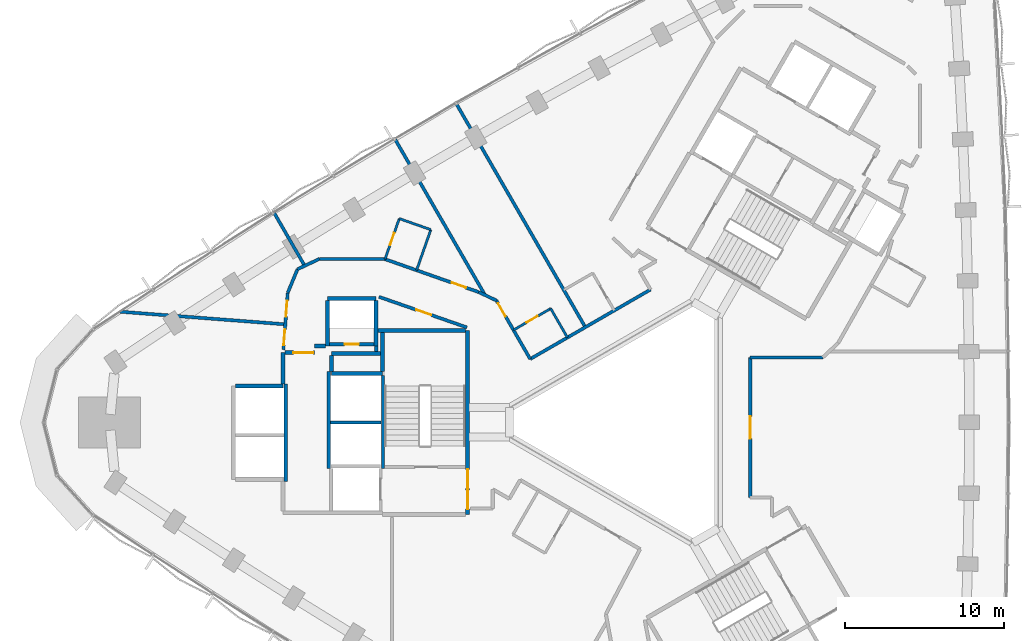
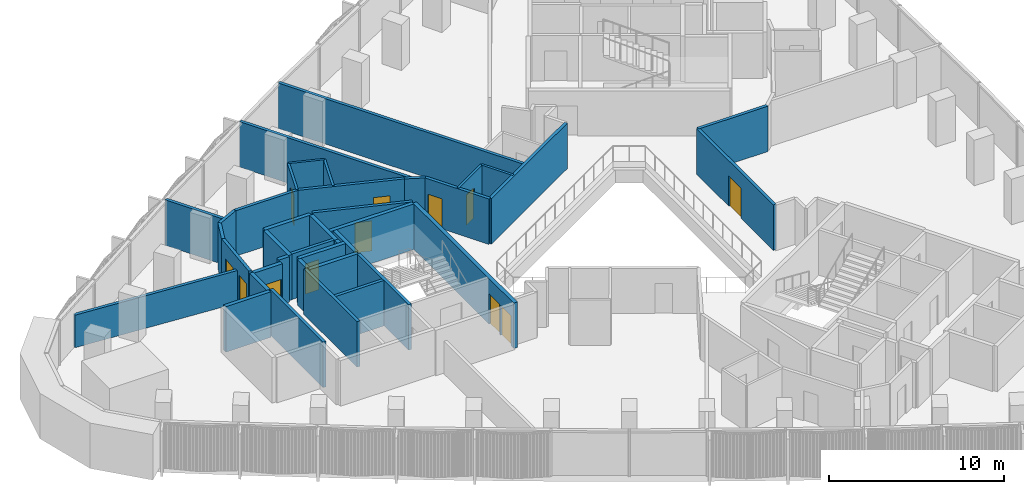
# One storey, part 9 of 15: 39 walls, 12 doors, 12 openings.
"""IFC4 building model written with IfcOpenShell, lengths in metres."""

import ifcopenshell
import ifcopenshell.guid

model = None  # the IFC model being written
_history = None  # IfcOwnerHistory: only IFC2X3 demands one
_inside = {}  # id of a spatial element -> (the spatial element, [elements in it])
_under = {}  # id of a project, library or spatial element -> (it, [spatial elements below it])
_declared = {}  # id of a project -> (the project, [libraries it declares])
_typed = {}  # id of a type object -> (the type object, [elements of that type])
_made_of = {}  # id of a material, layer set ... -> (it, [elements and type objects made of it])


def new_model(schema):
    """Start an empty IFC model of exactly this schema.

    Asked for "IFC4X3", IfcOpenShell would pick the latest addendum, in which some entities
    have other attributes; the version numbers below select the first issue.
    IFC2X3 requires an IfcOwnerHistory on every rooted entity: one is made here for all.
    """
    global model, _history
    if schema == "IFC4X3":
        model = ifcopenshell.file(schema_version=(4, 3, 0, 0))
    else:
        model = ifcopenshell.file(schema=schema)
    _inside.clear()
    _under.clear()
    _declared.clear()
    _typed.clear()
    _made_of.clear()
    _history = None
    if model.schema == "IFC2X3":
        org = make("IfcOrganization", Name="unknown")
        user = make(
            "IfcPersonAndOrganization",
            ThePerson=make("IfcPerson", FamilyName="unknown"),
            TheOrganization=org,
        )
        app = make(
            "IfcApplication",
            ApplicationDeveloper=org,
            Version="unknown",
            ApplicationFullName="unknown",
            ApplicationIdentifier="unknown",
        )
        _history = make(
            "IfcOwnerHistory",
            OwningUser=user,
            OwningApplication=app,
            ChangeAction="ADDED",
            CreationDate=0,
        )
    return model


def make(cls, **values):
    """One entity of the class cls with the attributes given. An attribute that is None is left unset."""
    return model.create_entity(
        cls, **{name: value for name, value in values.items() if value is not None}
    )


def rooted(cls, **values):
    """An entity with a GlobalId (a new one), such as an element, a storey or a relation."""
    return make(cls, GlobalId=ifcopenshell.guid.new(), OwnerHistory=_history, **values)


def si_unit(unit_type, name, prefix=None):
    """IfcSIUnit, for example si_unit("LENGTHUNIT", "METRE", prefix="MILLI")."""
    return make("IfcSIUnit", UnitType=unit_type, Prefix=prefix, Name=name)


def assignment(units):
    """IfcUnitAssignment: the units of a project."""
    return None if units is None else make("IfcUnitAssignment", Units=units)


def point(xyz):
    """IfcCartesianPoint."""
    return None if xyz is None else make("IfcCartesianPoint", Coordinates=xyz)


def direction(xyz):
    """IfcDirection."""
    return None if xyz is None else make("IfcDirection", DirectionRatios=xyz)


def frame(location, z_axis=None, x_axis=None):
    """IfcAxis2Placement3D, a coordinate frame: its origin and axes. An axis left out is left unset."""
    return make(
        "IfcAxis2Placement3D",
        Location=point(location),
        Axis=direction(z_axis),
        RefDirection=direction(x_axis),
    )


def frame_2d(location, x_axis=None):
    """IfcAxis2Placement2D, a coordinate frame in the plane: its origin and x axis."""
    return make(
        "IfcAxis2Placement2D", Location=point(location), RefDirection=direction(x_axis)
    )


def origin():
    """The frame at (0, 0, 0) with its axes left unset."""
    return frame((0.0, 0.0, 0.0))


def place(relative_to, where):
    """IfcLocalPlacement: puts the frame where relative to a parent placement (None: the world)."""
    return make(
        "IfcLocalPlacement", PlacementRelTo=relative_to, RelativePlacement=where
    )


def context(
    kind, dimensions, precision=None, world=None, true_north=None, identifier=None
):
    """IfcGeometricRepresentationContext, for example the 3D "Model" context."""
    return make(
        "IfcGeometricRepresentationContext",
        ContextIdentifier=identifier,
        ContextType=kind,
        CoordinateSpaceDimension=dimensions,
        Precision=precision,
        WorldCoordinateSystem=world,
        TrueNorth=true_north,
    )


def subcontext(parent, identifier, kind, view, scale=None):
    """IfcGeometricRepresentationSubContext, for example "Body" below "Model"."""
    return make(
        "IfcGeometricRepresentationSubContext",
        ContextIdentifier=identifier,
        ContextType=kind,
        ParentContext=parent,
        TargetScale=scale,
        TargetView=view,
    )


def project(units=None, contexts=None):
    """IfcProject with its units and contexts."""
    return rooted(
        "IfcProject",
        Name="project",
        RepresentationContexts=contexts,
        UnitsInContext=assignment(units),
    )


def spatial(cls, under=None, at=None, **own):
    """A site, building, storey or space (cls), placed at a placement, below another one or the project."""
    s = rooted(cls, ObjectPlacement=at, **own)
    if under is not None:
        _under.setdefault(under.id(), (under, []))[1].append(s)
    return s


def profile(cls, at=None, kind="AREA", **sizes):
    """A parametric profile (cls). Its sizes go by their IFC names, for example OverallWidth=200.0."""
    return make(cls, ProfileType=kind, Position=at, **sizes)


def rectangle(**sizes):
    """IfcRectangleProfileDef."""
    return profile("IfcRectangleProfileDef", **sizes)


def extrude(swept, where, along, depth):
    """IfcExtrudedAreaSolid: the profile swept, set in the frame where, extruded along a direction by depth."""
    return make(
        "IfcExtrudedAreaSolid",
        SweptArea=swept,
        Position=where,
        ExtrudedDirection=direction(along),
        Depth=depth,
    )


def shape(context_of_items, identifier, shape_type, items):
    """IfcShapeRepresentation: the items that make up one representation, for example the "Body"."""
    return make(
        "IfcShapeRepresentation",
        ContextOfItems=context_of_items,
        RepresentationIdentifier=identifier,
        RepresentationType=shape_type,
        Items=items,
    )


def material(Name=None, Category=None):
    """IfcMaterial."""
    return make("IfcMaterial", Name=Name, Category=Category)


def layer(
    of_material, thickness, ventilated=None, Name=None, Category=None, Priority=None
):
    """IfcMaterialLayer: one layer of a wall or slab, of a material (None: an air gap)."""
    return make(
        "IfcMaterialLayer",
        Material=of_material,
        LayerThickness=thickness,
        IsVentilated=ventilated,
        Name=Name,
        Category=Category,
        Priority=Priority,
    )


def layer_set(layers, Name=None):
    """IfcMaterialLayerSet."""
    return make("IfcMaterialLayerSet", MaterialLayers=layers, LayerSetName=Name)


def made_of(thing, what):
    """Note that an element or type object is made of a material, layer set ...; save() writes the relation."""
    if what is not None:
        _made_of.setdefault(what.id(), (what, []))[1].append(thing)
    return thing


def type_object(cls, material=None, **own):
    """A type object (cls), such as IfcWallType, which elements share."""
    return made_of(rooted(cls, **own), material)


def element(
    cls,
    number,
    at=None,
    inside=None,
    cuts=None,
    type_object=None,
    material=None,
    context=None,
    identifier="Body",
    shape_type=None,
    held_by="IfcProductDefinitionShape",
    body=None,
    shapes=None,
    **own,
):
    """One element of the class cls, such as IfcWall. Its Tag is "e" and its number.

    at: its placement. inside: the storey or other place that contains it. cuts: it is an
    opening in that element (IfcRelVoidsElement). A single representation is given by context,
    identifier, shape_type and body (its items); several are given by shapes. held_by: the class
    of the entity that holds the representations. save() writes the other relations.
    """
    e = rooted(cls, Tag="e%d" % number, ObjectPlacement=at, **own)
    if body is not None:
        shapes = [shape(context, identifier, shape_type, body)]
    if shapes is not None:
        e.Representation = make(held_by, Representations=shapes)
    if inside is not None:
        _inside.setdefault(inside.id(), (inside, []))[1].append(e)
    if cuts is not None:
        rooted(
            "IfcRelVoidsElement", RelatingBuildingElement=cuts, RelatedOpeningElement=e
        )
    if type_object is not None:
        _typed.setdefault(type_object.id(), (type_object, []))[1].append(e)
    return made_of(e, material)


def fill(opening, filler):
    """IfcRelFillsElement: the door or window that sits in an opening."""
    return rooted(
        "IfcRelFillsElement",
        RelatingOpeningElement=opening,
        RelatedBuildingElement=filler,
    )


def aggregate(whole, parts):
    """IfcRelAggregates: a whole, such as a stair, and the parts it consists of."""
    return rooted("IfcRelAggregates", RelatingObject=whole, RelatedObjects=parts)


def save(model, path):
    """Write the relations noted so far, then the file.

    IfcRelAggregates (storeys below a building ...), IfcRelContainedInSpatialStructure (elements
    in a storey), IfcRelDefinesByType, IfcRelAssociatesMaterial and IfcRelDeclares: one each for
    every whole, place, type object, material and project.
    """
    for whole, parts in _under.values():
        aggregate(whole, parts)
    for where, things in _inside.values():
        rooted(
            "IfcRelContainedInSpatialStructure",
            RelatedElements=things,
            RelatingStructure=where,
        )
    for kind, things in _typed.values():
        rooted("IfcRelDefinesByType", RelatedObjects=things, RelatingType=kind)
    for what, things in _made_of.values():
        rooted("IfcRelAssociatesMaterial", RelatedObjects=things, RelatingMaterial=what)
    for by, libraries in _declared.values():
        rooted("IfcRelDeclares", RelatingContext=by, RelatedDefinitions=libraries)
    model.write(path)


model = new_model("IFC4")

# Units and contexts
model_context = context("Model", 3, precision=1e-05, world=origin(), true_north=direction((0.0, 1.0)))
body_context = subcontext(model_context, "Body", "Model", "MODEL_VIEW")
ifc_project = project(units=[si_unit("LENGTHUNIT", "METRE"), si_unit("AREAUNIT", "SQUARE_METRE"), si_unit("VOLUMEUNIT", "CUBIC_METRE"), si_unit("PLANEANGLEUNIT", "RADIAN"), si_unit("MASSUNIT", "GRAM", prefix="KILO")], contexts=[model_context])

# Site, building, storey
site_placement = place(None, origin())
site = spatial("IfcSite", under=ifc_project, at=site_placement, CompositionType="ELEMENT")
building_placement = place(site_placement, origin())
building = spatial("IfcBuilding", under=site, at=building_placement, Name="Tamra Quay Hotel Tower", CompositionType="ELEMENT")
storey_placement = place(building_placement, frame((0.0, 0.0, 108.199951171875)))
storey = spatial("IfcBuildingStorey", under=building, at=storey_placement, Name="L26", CompositionType="ELEMENT", Elevation=108.199951171875)

# Walls
ifc_material_1 = material(Name="Concrete M70", Category="concrete")
ifc_layer_1 = layer(ifc_material_1, 0.199951171875)
ifc_layer_set_1 = layer_set([ifc_layer_1], Name="Concrete M70 core wall 200")
wall_type_1 = type_object("IfcWallType", Name="Concrete M70 core wall 200", PredefinedType="SHEAR", material=ifc_layer_set_1)
wall_1_placement = place(storey_placement, frame((-16.162109375, 2.95068359375, 0.0), z_axis=(0.0, 0.0, 1.0), x_axis=(0.0, -1.0, 0.0)))
element("IfcWall", 1, at=wall_1_placement, inside=storey, type_object=wall_type_1, Name="CW2", PredefinedType="SHEAR", context=body_context, shape_type="SweptSolid", body=[
    extrude(rectangle(XDim=5.850830078125, YDim=0.199951171875, at=frame_2d((2.92529296875, 0.0))), origin(), (0.0, 0.0, 1.0), 3.175048828125),
])
for number, where, z_axis, x_axis, name in (
    (2, (-19.5625, -2.900146484375, 0.0), (0.0, 0.0, 1.0), (0.0, 1.0, 0.0), "CW2"),
    (3, (-22.26220703125, 2.400146484375, 0.0), (0.0, 0.0, 1.0), (0.0, -1.0, 0.0), "CW2"),
):
    element("IfcWall", number, at=place(storey_placement, frame(where, z_axis=z_axis, x_axis=x_axis)), inside=storey, type_object=wall_type_1, Name=name, PredefinedType="SHEAR", context=body_context, shape_type="SweptSolid", body=[
        extrude(rectangle(XDim=6.100341796875, YDim=0.199951171875, at=frame_2d((3.05029296875, 0.0))), origin(), (0.0, 0.0, 1.0), 3.175048828125),
    ])
wall_2_placement = place(storey_placement, frame((-16.26318359375, 0.0, 0.0), z_axis=(0.0, 0.0, 1.0), x_axis=(-1.0, 0.0, 0.0)))
element("IfcWall", 4, at=wall_2_placement, inside=storey, type_object=wall_type_1, Name="CW2", PredefinedType="SHEAR", context=body_context, shape_type="SweptSolid", body=[
    extrude(rectangle(XDim=3.1982421875, YDim=0.199951171875, at=frame_2d((1.59912109375, 0.0))), origin(), (0.0, 0.0, 1.0), 3.175048828125),
])

# Wall, opening, door
wall_3_placement = place(storey_placement, frame((-19.51123046875, 4.91015625, 0.0), z_axis=(0.0, 0.0, 1.0), x_axis=(1.0, 0.0, 0.0)))
wall_3 = element("IfcWall", 5, at=wall_3_placement, inside=storey, type_object=wall_type_1, Name="CW2", PredefinedType="SHEAR", context=body_context, shape_type="SweptSolid", body=[
    extrude(rectangle(XDim=2.7978515625, YDim=0.199951171875, at=frame_2d((1.39892578125, 0.0))), origin(), (0.0, 0.0, 1.0), 3.175048828125),
])
opening_1_placement = place(wall_3_placement, frame((0.948974609375, 0.0, 0.0)))
opening_1 = element("IfcOpeningElement", 6, at=opening_1_placement, cuts=wall_3, Name="Opening D1", PredefinedType="OPENING", context=body_context, shape_type="SweptSolid", body=[
    extrude(rectangle(XDim=0.89990234375, YDim=2.10009765625, at=frame_2d((0.449951171875, 1.050048828125))), frame((0.0, 0.10986328125, 0.0), z_axis=(0.0, -1.0, 0.0), x_axis=(1.0, 0.0, 0.0)), (0.0, 0.0, 1.0), 0.219970703125),
])
ifc_material_2 = material(Name="Core door D1 900x2100 RH")
door_type_1 = type_object("IfcDoorType", Name="Core door D1 900x2100 RH", OperationType="NOTDEFINED", PredefinedType="DOOR", material=ifc_material_2)
door_1_placement = place(opening_1_placement, origin())
door_1 = element("IfcDoor", 7, at=door_1_placement, inside=storey, type_object=door_type_1, Name="D1", OperationType="SINGLE_SWING_RIGHT", OverallHeight=2.10009765625, OverallWidth=0.89990234375, PredefinedType="DOOR", context=body_context, shape_type="SweptSolid", body=[
    extrude(rectangle(XDim=0.89990234375, YDim=2.10009765625, at=frame_2d((0.449951171875, 1.050048828125))), frame((0.0, 0.02490234375, 0.0), z_axis=(0.0, -1.0, 0.0), x_axis=(1.0, 0.0, 0.0)), (0.0, 0.0, 1.0), 0.050048828125),
])
fill(opening_1, door_1)

# Wall, openings, doors
ifc_layer_2 = layer(ifc_material_1, 0.25)
ifc_layer_set_2 = layer_set([ifc_layer_2], Name="Concrete M70 core wall 250")
wall_type_2 = type_object("IfcWallType", Name="Concrete M70 core wall 250", PredefinedType="SHEAR", material=ifc_layer_set_2)
wall_4_placement = place(storey_placement, frame((-10.83740234375, 5.77490234375, 0.0), z_axis=(0.0, 0.0, 1.0), x_axis=(0.0, -1.0, 0.0)))
wall_4 = element("IfcWall", 8, at=wall_4_placement, inside=storey, type_object=wall_type_2, Name="CW1", PredefinedType="SHEAR", context=body_context, shape_type="SweptSolid", body=[
    extrude(rectangle(XDim=11.5498046875, YDim=0.25, at=frame_2d((5.77490234375, 0.0))), origin(), (0.0, 0.0, 1.0), 3.175048828125),
])
opening_2_placement = place(wall_4_placement, frame((10.02490234375, 0.0, 0.0)))
opening_2 = element("IfcOpeningElement", 9, at=opening_2_placement, cuts=wall_4, Name="Opening FD1", PredefinedType="OPENING", context=body_context, shape_type="SweptSolid", body=[
    extrude(rectangle(XDim=1.199951171875, YDim=2.10009765625, at=frame_2d((0.60009765625, 1.050048828125))), frame((0.0, 0.135009765625, 0.0), z_axis=(0.0, -1.0, 0.0), x_axis=(1.0, 0.0, 0.0)), (0.0, 0.0, 1.0), 0.27001953125),
])
opening_3_placement = place(wall_4_placement, frame((8.72509765625, 0.0, 0.0)))
opening_3 = element("IfcOpeningElement", 10, at=opening_3_placement, cuts=wall_4, Name="Opening FD1", PredefinedType="OPENING", context=body_context, shape_type="SweptSolid", body=[
    extrude(rectangle(XDim=1.199951171875, YDim=2.10009765625, at=frame_2d((0.60009765625, 1.050048828125))), frame((0.0, 0.135009765625, 0.0), z_axis=(0.0, -1.0, 0.0), x_axis=(1.0, 0.0, 0.0)), (0.0, 0.0, 1.0), 0.27001953125),
])
ifc_material_3 = material(Name="Core door FD1 1200x2100 LH")
door_type_2 = type_object("IfcDoorType", Name="Core door FD1 1200x2100 LH", OperationType="NOTDEFINED", PredefinedType="DOOR", material=ifc_material_3)
door_2_placement = place(opening_2_placement, origin())
door_2 = element("IfcDoor", 11, at=door_2_placement, inside=storey, type_object=door_type_2, Name="FD1", OperationType="SINGLE_SWING_LEFT", OverallHeight=2.10009765625, OverallWidth=1.199951171875, PredefinedType="DOOR", context=body_context, shape_type="SweptSolid", body=[
    extrude(rectangle(XDim=1.199951171875, YDim=2.10009765625, at=frame_2d((0.60009765625, 1.050048828125))), frame((0.0, 0.02490234375, 0.0), z_axis=(0.0, -1.0, 0.0), x_axis=(1.0, 0.0, 0.0)), (0.0, 0.0, 1.0), 0.050048828125),
])
fill(opening_2, door_2)
ifc_material_4 = material(Name="Core door FD1 1200x2100 RH")
door_type_3 = type_object("IfcDoorType", Name="Core door FD1 1200x2100 RH", OperationType="NOTDEFINED", PredefinedType="DOOR", material=ifc_material_4)
door_3_placement = place(opening_3_placement, origin())
door_3 = element("IfcDoor", 12, at=door_3_placement, inside=storey, type_object=door_type_3, Name="FD1", OperationType="SINGLE_SWING_RIGHT", OverallHeight=2.10009765625, OverallWidth=1.199951171875, PredefinedType="DOOR", context=body_context, shape_type="SweptSolid", body=[
    extrude(rectangle(XDim=1.199951171875, YDim=2.10009765625, at=frame_2d((0.60009765625, 1.050048828125))), frame((0.0, 0.02490234375, 0.0), z_axis=(0.0, -1.0, 0.0), x_axis=(1.0, 0.0, 0.0)), (0.0, 0.0, 1.0), 0.050048828125),
])
fill(opening_3, door_3)

# Walls
wall_5_placement = place(storey_placement, frame((-16.47216796875, 5.77490234375, 0.0), z_axis=(0.0, 0.0, 1.0), x_axis=(1.0, 0.0, 0.0)))
element("IfcWall", 13, at=wall_5_placement, inside=storey, type_object=wall_type_2, Name="CW1", PredefinedType="SHEAR", context=body_context, shape_type="SweptSolid", body=[
    extrude(rectangle(XDim=5.509521484375, YDim=0.25, at=frame_2d((2.7548828125, 0.0))), origin(), (0.0, 0.0, 1.0), 3.175048828125),
])
wall_6_placement = place(storey_placement, frame((-19.38720703125, 3.074951171875, 0.0), z_axis=(0.0, 0.0, 1.0), x_axis=(1.0, 0.0, 0.0)))
element("IfcWall", 14, at=wall_6_placement, inside=storey, type_object=wall_type_2, Name="CW1", PredefinedType="SHEAR", context=body_context, shape_type="SweptSolid", body=[
    extrude(rectangle(XDim=3.199951171875, YDim=0.25, at=frame_2d((1.60009765625, 0.0))), origin(), (0.0, 0.0, 1.0), 3.175048828125),
])
wall_7_placement = place(storey_placement, frame((-25.411865234375, 2.27490234375, 0.0), z_axis=(0.0, 0.0, 1.0), x_axis=(1.0, 0.0, 0.0)))
element("IfcWall", 15, at=wall_7_placement, inside=storey, type_object=wall_type_2, Name="CW1", PredefinedType="SHEAR", context=body_context, shape_type="SweptSolid", body=[
    extrude(rectangle(XDim=2.974609375, YDim=0.25, at=frame_2d((1.4873046875, 0.0))), origin(), (0.0, 0.0, 1.0), 3.175048828125),
])
wall_8_placement = place(storey_placement, frame((-19.63720703125, 7.77490234375, 0.0), z_axis=(0.0, 0.0, 1.0), x_axis=(1.0, 0.0, 0.0)))
element("IfcWall", 16, at=wall_8_placement, inside=storey, type_object=wall_type_2, Name="CW1", PredefinedType="SHEAR", context=body_context, shape_type="SweptSolid", body=[
    extrude(rectangle(XDim=3.0498046875, YDim=0.25, at=frame_2d((1.52490234375, 0.0))), origin(), (0.0, 0.0, 1.0), 3.175048828125),
])
for number, where, z_axis, x_axis, name in (
    (17, (-16.58740234375, 7.649658203125, 0.0), (0.0, 0.0, 1.0), (0.0, -1.0, 0.0), "CW1"),
    (18, (-19.63720703125, 4.784912109375, 0.0), (0.0, 0.0, 1.0), (0.0, 1.0, 0.0), "CW1"),
):
    element("IfcWall", number, at=place(storey_placement, frame(where, z_axis=z_axis, x_axis=x_axis)), inside=storey, type_object=wall_type_2, Name=name, PredefinedType="SHEAR", context=body_context, shape_type="SweptSolid", body=[
        extrude(rectangle(XDim=2.86474609375, YDim=0.25, at=frame_2d((1.432373046875, 0.0))), origin(), (0.0, 0.0, 1.0), 3.175048828125),
    ])
wall_9_placement = place(storey_placement, frame((-16.30224609375, 4.31494140625, 0.0), z_axis=(0.0, 0.0, 1.0), x_axis=(-1.0, 0.0, 0.0)))
element("IfcWall", 19, at=wall_9_placement, inside=storey, type_object=wall_type_2, Name="CW1", PredefinedType="SHEAR", context=body_context, shape_type="SweptSolid", body=[
    extrude(rectangle(XDim=3.0849609375, YDim=0.25, at=frame_2d((1.54248046875, 0.0))), origin(), (0.0, 0.0, 1.0), 3.175048828125),
])
wall_10_placement = place(storey_placement, frame((-16.187255859375, 3.200439453125, 0.0), z_axis=(0.0, 0.0, 1.0), x_axis=(0.0, 1.0, 0.0)))
element("IfcWall", 20, at=wall_10_placement, inside=storey, type_object=wall_type_2, Name="CW1", PredefinedType="SHEAR", context=body_context, shape_type="SweptSolid", body=[
    extrude(rectangle(XDim=2.44921875, YDim=0.25, at=frame_2d((1.224609375, 0.0))), origin(), (0.0, 0.0, 1.0), 3.175048828125),
])
wall_11_placement = place(storey_placement, frame((-22.437255859375, 2.400390625, 0.0), z_axis=(0.0, 0.0, 1.0), x_axis=(0.0, 1.0, 0.0)))
element("IfcWall", 21, at=wall_11_placement, inside=storey, type_object=wall_type_2, Name="CW1", PredefinedType="SHEAR", context=body_context, shape_type="SweptSolid", body=[
    extrude(rectangle(XDim=1.974609375, YDim=0.25, at=frame_2d((0.9873046875, 0.0))), origin(), (0.0, 0.0, 1.0), 3.175048828125),
])

# Wall, opening, door
wall_12_placement = place(storey_placement, frame((-22.311767578125, 4.375, 0.0), z_axis=(0.0, 0.0, 1.0), x_axis=(1.0, 0.0, 0.0)))
wall_12 = element("IfcWall", 22, at=wall_12_placement, inside=storey, type_object=wall_type_2, Name="CW1", PredefinedType="SHEAR", context=body_context, shape_type="SweptSolid", body=[
    extrude(rectangle(XDim=1.864501953125, YDim=0.25, at=frame_2d((0.93212890625, 0.0))), origin(), (0.0, 0.0, 1.0), 3.175048828125),
])
opening_4_placement = place(wall_12_placement, frame((0.53466796875, 0.0, 0.0)))
opening_4 = element("IfcOpeningElement", 23, at=opening_4_placement, cuts=wall_12, Name="Opening FD3", PredefinedType="OPENING", context=body_context, shape_type="SweptSolid", body=[
    extrude(rectangle(XDim=1.25, YDim=2.10009765625, at=frame_2d((0.625, 1.050048828125))), frame((0.0, 0.135009765625, 0.0), z_axis=(0.0, -1.0, 0.0), x_axis=(1.0, 0.0, 0.0)), (0.0, 0.0, 1.0), 0.27001953125),
])
ifc_material_5 = material(Name="Core door FD3 1250x2100 LH")
door_type_4 = type_object("IfcDoorType", Name="Core door FD3 1250x2100 LH", OperationType="NOTDEFINED", PredefinedType="DOOR", material=ifc_material_5)
door_4_placement = place(opening_4_placement, origin())
door_4 = element("IfcDoor", 24, at=door_4_placement, inside=storey, type_object=door_type_4, Name="FD3", OperationType="SINGLE_SWING_LEFT", OverallHeight=2.10009765625, OverallWidth=1.25, PredefinedType="DOOR", context=body_context, shape_type="SweptSolid", body=[
    extrude(rectangle(XDim=1.25, YDim=2.10009765625, at=frame_2d((0.625, 1.050048828125))), frame((0.0, 0.02490234375, 0.0), z_axis=(0.0, -1.0, 0.0), x_axis=(1.0, 0.0, 0.0)), (0.0, 0.0, 1.0), 0.050048828125),
])
fill(opening_4, door_4)

# Walls
wall_13_placement = place(storey_placement, frame((-19.38720703125, 4.189697265625, 0.0), z_axis=(0.0, 0.0, 1.0), x_axis=(0.0, -1.0, 0.0)))
element("IfcWall", 25, at=wall_13_placement, inside=storey, type_object=wall_type_2, Name="CW1", PredefinedType="SHEAR", context=body_context, shape_type="SweptSolid", body=[
    extrude(rectangle(XDim=0.9892578125, YDim=0.25, at=frame_2d((0.49462890625, 0.0))), origin(), (0.0, 0.0, 1.0), 3.175048828125),
])
wall_14_placement = place(storey_placement, frame((-20.447265625, 4.784912109375, 0.0), z_axis=(0.0, 0.0, 1.0), x_axis=(1.0, 0.0, 0.0)))
element("IfcWall", 26, at=wall_14_placement, inside=storey, type_object=wall_type_2, Name="CW1", PredefinedType="SHEAR", context=body_context, shape_type="SweptSolid", body=[
    extrude(rectangle(XDim=0.6845703125, YDim=0.25, at=frame_2d((0.34228515625, 0.0))), origin(), (0.0, 0.0, 1.0), 3.175048828125),
])
wall_15_placement = place(storey_placement, frame((-16.577392578125, 4.784912109375, 0.0), z_axis=(0.0, 0.0, 1.0), x_axis=(0.0, -1.0, 0.0)))
element("IfcWall", 27, at=wall_15_placement, inside=storey, type_object=wall_type_2, Name="CW1", PredefinedType="SHEAR", context=body_context, shape_type="SweptSolid", body=[
    extrude(rectangle(XDim=0.344482421875, YDim=0.25, at=frame_2d((0.17236328125, 0.0))), origin(), (0.0, 0.0, 1.0), 3.175048828125),
])

# Wall, openings, doors
ifc_material_6 = material(Name="Partition corridor wall")
ifc_layer_3 = layer(ifc_material_6, 0.199951171875)
ifc_layer_set_3 = layer_set([ifc_layer_3], Name="Partition corridor wall")
wall_type_3 = type_object("IfcWallType", Name="Partition corridor wall", PredefinedType="PARTITIONING", material=ifc_layer_set_3)
wall_16_placement = place(storey_placement, frame((-22.407470703125, 4.56005859375, 0.0), z_axis=(0.0, 0.0, 1.0), x_axis=(0.075961252686, 0.997110770221, 0.0)))
wall_16 = element("IfcWall", 28, at=wall_16_placement, inside=storey, type_object=wall_type_3, Name="W-C", PredefinedType="PARTITIONING", context=body_context, shape_type="SweptSolid", body=[
    extrude(rectangle(XDim=3.580322265625, YDim=0.199951171875, at=frame_2d((1.7900390625, 0.0))), origin(), (0.0, 0.0, 1.0), 3.175048828125),
])
opening_5_placement = place(wall_16_placement, frame((0.276123046875, 0.0, 0.0)))
opening_5 = element("IfcOpeningElement", 29, at=opening_5_placement, cuts=wall_16, Name="Opening L26-D011", PredefinedType="OPENING", context=body_context, shape_type="SweptSolid", body=[
    extrude(rectangle(XDim=1.0, YDim=2.10009765625, at=frame_2d((0.5, 1.050048828125))), frame((0.0, 0.10986328125, 0.0), z_axis=(0.0, -1.0, 0.0), x_axis=(1.0, 0.0, 0.0)), (0.0, 0.0, 1.0), 0.219970703125),
])
opening_6_placement = place(wall_16_placement, frame((2.08447265625, 0.0, 0.0)))
opening_6 = element("IfcOpeningElement", 30, at=opening_6_placement, cuts=wall_16, Name="Opening L26-D012", PredefinedType="OPENING", context=body_context, shape_type="SweptSolid", body=[
    extrude(rectangle(XDim=1.0, YDim=2.10009765625, at=frame_2d((0.5, 1.050048828125))), frame((0.0, 0.10986328125, 0.0), z_axis=(0.0, -1.0, 0.0), x_axis=(1.0, 0.0, 0.0)), (0.0, 0.0, 1.0), 0.219970703125),
])
ifc_material_7 = material(Name="Door guest room 1000x2100")
door_type_5 = type_object("IfcDoorType", Name="Door guest room 1000x2100", OperationType="NOTDEFINED", PredefinedType="DOOR", material=ifc_material_7)
door_5_placement = place(opening_5_placement, origin())
door_5 = element("IfcDoor", 31, at=door_5_placement, inside=storey, type_object=door_type_5, Name="L26-D011", OperationType="SINGLE_SWING_LEFT", OverallHeight=2.10009765625, OverallWidth=1.0, PredefinedType="DOOR", context=body_context, shape_type="SweptSolid", body=[
    extrude(rectangle(XDim=1.0, YDim=2.10009765625, at=frame_2d((0.5, 1.050048828125))), frame((0.0, 0.02490234375, 0.0), z_axis=(0.0, -1.0, 0.0), x_axis=(1.0, 0.0, 0.0)), (0.0, 0.0, 1.0), 0.050048828125),
])
fill(opening_5, door_5)
door_6_placement = place(opening_6_placement, origin())
door_6 = element("IfcDoor", 32, at=door_6_placement, inside=storey, type_object=door_type_5, Name="L26-D012", OperationType="SINGLE_SWING_LEFT", OverallHeight=2.10009765625, OverallWidth=1.0, PredefinedType="DOOR", context=body_context, shape_type="SweptSolid", body=[
    extrude(rectangle(XDim=1.0, YDim=2.10009765625, at=frame_2d((0.5, 1.050048828125))), frame((0.0, 0.02490234375, 0.0), z_axis=(0.0, -1.0, 0.0), x_axis=(1.0, 0.0, 0.0)), (0.0, 0.0, 1.0), 0.050048828125),
])
fill(opening_6, door_6)

# Walls
wall_17_placement = place(storey_placement, frame((-22.135009765625, 8.134033203125, 0.0), z_axis=(0.0, 0.0, 1.0), x_axis=(0.383208453534, 0.923661886807, 0.0)))
element("IfcWall", 33, at=wall_17_placement, inside=storey, type_object=wall_type_3, Name="W-C", PredefinedType="PARTITIONING", context=body_context, shape_type="SweptSolid", body=[
    extrude(rectangle(XDim=1.602294921875, YDim=0.199951171875, at=frame_2d((0.80126953125, 0.0))), origin(), (0.0, 0.0, 1.0), 3.175048828125),
])
wall_18_placement = place(storey_placement, frame((-21.521240234375, 9.614501953125, 0.0), z_axis=(0.0, 0.0, 1.0), x_axis=(0.904236611454, 0.427031790979, 0.0)))
element("IfcWall", 34, at=wall_18_placement, inside=storey, type_object=wall_type_3, Name="W-C", PredefinedType="PARTITIONING", context=body_context, shape_type="SweptSolid", body=[
    extrude(rectangle(XDim=1.52294921875, YDim=0.199951171875, at=frame_2d((0.761474609375, 0.0))), origin(), (0.0, 0.0, 1.0), 3.175048828125),
])
wall_19_placement = place(storey_placement, frame((-20.14306640625, 10.26611328125, 0.0), z_axis=(0.0, 0.0, 1.0), x_axis=(0.999989297417, -0.004626559416, 0.0)))
element("IfcWall", 35, at=wall_19_placement, inside=storey, type_object=wall_type_3, Name="W-C", PredefinedType="PARTITIONING", context=body_context, shape_type="SweptSolid", body=[
    extrude(rectangle(XDim=4.115966796875, YDim=0.199951171875, at=frame_2d((2.05810546875, 0.0))), origin(), (0.0, 0.0, 1.0), 3.175048828125),
])

# Wall, opening, door
wall_20_placement = place(storey_placement, frame((-16.40234375, 7.879150390625, 0.0), z_axis=(0.0, 0.0, 1.0), x_axis=(0.94449961557, -0.328512520596, 0.0)))
wall_20 = element("IfcWall", 36, at=wall_20_placement, inside=storey, type_object=wall_type_3, Name="W-C", PredefinedType="PARTITIONING", context=body_context, shape_type="SweptSolid", body=[
    extrude(rectangle(XDim=5.842041015625, YDim=0.199951171875, at=frame_2d((2.9208984375, 0.0))), origin(), (0.0, 0.0, 1.0), 3.175048828125),
])
opening_7_placement = place(wall_20_placement, frame((2.47900390625, 0.0, 0.0)))
opening_7 = element("IfcOpeningElement", 37, at=opening_7_placement, cuts=wall_20, Name="Opening L26-D008", PredefinedType="OPENING", context=body_context, shape_type="SweptSolid", body=[
    extrude(rectangle(XDim=1.0, YDim=2.10009765625, at=frame_2d((0.5, 1.050048828125))), frame((0.0, 0.10986328125, 0.0), z_axis=(0.0, -1.0, 0.0), x_axis=(1.0, 0.0, 0.0)), (0.0, 0.0, 1.0), 0.219970703125),
])
door_7_placement = place(opening_7_placement, frame((1.0, 0.0, 0.0), z_axis=(0.0, 0.0, 1.0), x_axis=(-1.0, 0.0, 0.0)))
door_7 = element("IfcDoor", 38, at=door_7_placement, inside=storey, type_object=door_type_5, Name="L26-D008", OperationType="SINGLE_SWING_LEFT", OverallHeight=2.10009765625, OverallWidth=1.0, PredefinedType="DOOR", context=body_context, shape_type="SweptSolid", body=[
    extrude(rectangle(XDim=1.0, YDim=2.10009765625, at=frame_2d((0.5, 1.050048828125))), frame((0.0, 0.02490234375, 0.0), z_axis=(0.0, -1.0, 0.0), x_axis=(1.0, 0.0, 0.0)), (0.0, 0.0, 1.0), 0.050048828125),
])
fill(opening_7, door_7)

wall_21_placement = place(storey_placement, frame((-16.02587890625, 10.247314453125, 0.0), z_axis=(0.0, 0.0, 1.0), x_axis=(0.94329059922, -0.331968139168, 0.0)))
wall_21 = element("IfcWall", 39, at=wall_21_placement, inside=storey, type_object=wall_type_3, Name="W-C", PredefinedType="PARTITIONING", context=body_context, shape_type="SweptSolid", body=[
    extrude(rectangle(XDim=6.236572265625, YDim=0.199951171875, at=frame_2d((3.1181640625, 0.0))), origin(), (0.0, 0.0, 1.0), 3.175048828125),
])
opening_8_placement = place(wall_21_placement, frame((4.438232421875, 0.0, 0.0)))
opening_8 = element("IfcOpeningElement", 40, at=opening_8_placement, cuts=wall_21, Name="Opening L26-D009", PredefinedType="OPENING", context=body_context, shape_type="SweptSolid", body=[
    extrude(rectangle(XDim=0.949951171875, YDim=2.10009765625, at=frame_2d((0.47509765625, 1.050048828125))), frame((0.0, 0.10986328125, 0.0), z_axis=(0.0, -1.0, 0.0), x_axis=(1.0, 0.0, 0.0)), (0.0, 0.0, 1.0), 0.219970703125),
])
ifc_material_8 = material(Name="Door guest room 950x2100")
door_type_6 = type_object("IfcDoorType", Name="Door guest room 950x2100", OperationType="NOTDEFINED", PredefinedType="DOOR", material=ifc_material_8)
door_8_placement = place(opening_8_placement, origin())
door_8 = element("IfcDoor", 41, at=door_8_placement, inside=storey, type_object=door_type_6, Name="L26-D009", OperationType="SINGLE_SWING_LEFT", OverallHeight=2.10009765625, OverallWidth=0.949951171875, PredefinedType="DOOR", context=body_context, shape_type="SweptSolid", body=[
    extrude(rectangle(XDim=0.949951171875, YDim=2.10009765625, at=frame_2d((0.47509765625, 1.050048828125))), frame((0.0, 0.02490234375, 0.0), z_axis=(0.0, -1.0, 0.0), x_axis=(1.0, 0.0, 0.0)), (0.0, 0.0, 1.0), 0.050048828125),
])
fill(opening_8, door_8)

# Wall
wall_22_placement = place(storey_placement, frame((-10.14306640625, 8.1767578125, 0.0), z_axis=(0.0, 0.0, 1.0), x_axis=(0.904109978004, -0.427299833458, 0.0)))
element("IfcWall", 42, at=wall_22_placement, inside=storey, type_object=wall_type_3, Name="W-C", PredefinedType="PARTITIONING", context=body_context, shape_type="SweptSolid", body=[
    extrude(rectangle(XDim=1.227783203125, YDim=0.199951171875, at=frame_2d((0.61376953125, 0.0))), origin(), (0.0, 0.0, 1.0), 3.175048828125),
])

# Wall, opening, door
wall_23_placement = place(storey_placement, frame((-9.032958984375, 7.652099609375, 0.0), z_axis=(0.0, 0.0, 1.0), x_axis=(0.500228714158, -0.865893315329, 0.0)))
wall_23 = element("IfcWall", 43, at=wall_23_placement, inside=storey, type_object=wall_type_3, Name="W-C", PredefinedType="PARTITIONING", context=body_context, shape_type="SweptSolid", body=[
    extrude(rectangle(XDim=4.24365234375, YDim=0.199951171875, at=frame_2d((2.121826171875, 0.0))), origin(), (0.0, 0.0, 1.0), 3.175048828125),
])
opening_9_placement = place(wall_23_placement, frame((0.199951171875, 0.0, 0.0)))
opening_9 = element("IfcOpeningElement", 44, at=opening_9_placement, cuts=wall_23, Name="Opening L26-D006", PredefinedType="OPENING", context=body_context, shape_type="SweptSolid", body=[
    extrude(rectangle(XDim=0.949951171875, YDim=2.10009765625, at=frame_2d((0.47509765625, 1.050048828125))), frame((0.0, 0.10986328125, 0.0), z_axis=(0.0, -1.0, 0.0), x_axis=(1.0, 0.0, 0.0)), (0.0, 0.0, 1.0), 0.219970703125),
])
door_9_placement = place(opening_9_placement, origin())
door_9 = element("IfcDoor", 45, at=door_9_placement, inside=storey, type_object=door_type_6, Name="L26-D006", OperationType="SINGLE_SWING_LEFT", OverallHeight=2.10009765625, OverallWidth=0.949951171875, PredefinedType="DOOR", context=body_context, shape_type="SweptSolid", body=[
    extrude(rectangle(XDim=0.949951171875, YDim=2.10009765625, at=frame_2d((0.47509765625, 1.050048828125))), frame((0.0, 0.02490234375, 0.0), z_axis=(0.0, -1.0, 0.0), x_axis=(1.0, 0.0, 0.0)), (0.0, 0.0, 1.0), 0.050048828125),
])
fill(opening_9, door_9)

# Wall
wall_24_placement = place(storey_placement, frame((-6.91015625, 3.975341796875, 0.0), z_axis=(0.0, 0.0, 1.0), x_axis=(0.86591925187, 0.500183815454, 0.0)))
element("IfcWall", 46, at=wall_24_placement, inside=storey, type_object=wall_type_3, Name="W-C", PredefinedType="PARTITIONING", context=body_context, shape_type="SweptSolid", body=[
    extrude(rectangle(XDim=8.718017578125, YDim=0.199951171875, at=frame_2d((4.35888671875, 0.0))), origin(), (0.0, 0.0, 1.0), 3.175048828125),
])

# Wall, opening, door
wall_25_placement = place(storey_placement, frame((6.89990234375, -4.720947265625, 0.0), z_axis=(0.0, 0.0, 1.0), x_axis=(0.0, 1.0, 0.0)))
wall_25 = element("IfcWall", 47, at=wall_25_placement, inside=storey, type_object=wall_type_3, Name="W-C", PredefinedType="PARTITIONING", context=body_context, shape_type="SweptSolid", body=[
    extrude(rectangle(XDim=8.798828125, YDim=0.199951171875, at=frame_2d((4.3994140625, 0.0))), origin(), (0.0, 0.0, 1.0), 3.175048828125),
])
opening_10_placement = place(wall_25_placement, frame((3.699462890625, 0.0, 0.0)))
opening_10 = element("IfcOpeningElement", 48, at=opening_10_placement, cuts=wall_25, Name="Opening L26-D001", PredefinedType="OPENING", context=body_context, shape_type="SweptSolid", body=[
    extrude(rectangle(XDim=1.39990234375, YDim=2.10009765625, at=frame_2d((0.699951171875, 1.050048828125))), frame((0.0, 0.10986328125, 0.0), z_axis=(0.0, -1.0, 0.0), x_axis=(1.0, 0.0, 0.0)), (0.0, 0.0, 1.0), 0.219970703125),
])
ifc_material_9 = material(Name="Door double leaf 1400x2100")
door_type_7 = type_object("IfcDoorType", Name="Door double leaf 1400x2100", OperationType="DOUBLE_DOOR_SINGLE_SWING", PredefinedType="DOOR", material=ifc_material_9)
door_10_placement = place(opening_10_placement, frame((1.39990234375, 0.0, 0.0), z_axis=(0.0, 0.0, 1.0), x_axis=(-1.0, 0.0, 0.0)))
door_10 = element("IfcDoor", 49, at=door_10_placement, inside=storey, type_object=door_type_7, Name="L26-D001", OperationType="DOUBLE_DOOR_SINGLE_SWING", OverallHeight=2.10009765625, OverallWidth=1.39990234375, PredefinedType="DOOR", context=body_context, shape_type="SweptSolid", body=[
    extrude(rectangle(XDim=1.39990234375, YDim=2.10009765625, at=frame_2d((0.699951171875, 1.050048828125))), frame((0.0, 0.02490234375, 0.0), z_axis=(0.0, -1.0, 0.0), x_axis=(1.0, 0.0, 0.0)), (0.0, 0.0, 1.0), 0.050048828125),
])
fill(opening_10, door_10)

# Wall
wall_26_placement = place(storey_placement, frame((6.89990234375, 4.077880859375, 0.0), z_axis=(0.0, 0.0, 1.0), x_axis=(1.0, 0.0, 0.0)))
element("IfcWall", 50, at=wall_26_placement, inside=storey, type_object=wall_type_3, Name="W-C", PredefinedType="PARTITIONING", context=body_context, shape_type="SweptSolid", body=[
    extrude(rectangle(XDim=4.55810546875, YDim=0.199951171875, at=frame_2d((2.279052734375, 0.0))), origin(), (0.0, 0.0, 1.0), 3.175048828125),
])

# Wall, opening, door
ifc_material_10 = material(Name="Partition en-suite wall")
ifc_layer_4 = layer(ifc_material_10, 0.14990234375)
ifc_layer_set_4 = layer_set([ifc_layer_4], Name="Partition en-suite wall")
wall_type_4 = type_object("IfcWallType", Name="Partition en-suite wall", PredefinedType="PARTITIONING", material=ifc_layer_set_4)
wall_27_placement = place(storey_placement, frame((-16.02587890625, 10.2470703125, 0.0), z_axis=(0.0, 0.0, 1.0), x_axis=(0.331801780804, 0.943349128507, 0.0)))
wall_27 = element("IfcWall", 51, at=wall_27_placement, inside=storey, type_object=wall_type_4, Name="W-E", PredefinedType="PARTITIONING", context=body_context, shape_type="SweptSolid", body=[
    extrude(rectangle(XDim=2.69677734375, YDim=0.14990234375, at=frame_2d((1.348388671875, 0.0))), origin(), (0.0, 0.0, 1.0), 3.175048828125),
])
opening_11_placement = place(wall_27_placement, frame((0.94921875, 0.0, 0.0)))
opening_11 = element("IfcOpeningElement", 52, at=opening_11_placement, cuts=wall_27, Name="Opening L26-D010", PredefinedType="OPENING", context=body_context, shape_type="SweptSolid", body=[
    extrude(rectangle(XDim=0.800048828125, YDim=2.10009765625, at=frame_2d((0.39990234375, 1.050048828125))), frame((0.0, 0.0849609375, 0.0), z_axis=(0.0, -1.0, 0.0), x_axis=(1.0, 0.0, 0.0)), (0.0, 0.0, 1.0), 0.169921875),
])
ifc_material_11 = material(Name="Door en-suite 800x2100")
door_type_8 = type_object("IfcDoorType", Name="Door en-suite 800x2100", OperationType="NOTDEFINED", PredefinedType="DOOR", material=ifc_material_11)
door_11_placement = place(opening_11_placement, origin())
door_11 = element("IfcDoor", 53, at=door_11_placement, inside=storey, type_object=door_type_8, Name="L26-D010", OperationType="SINGLE_SWING_LEFT", OverallHeight=2.10009765625, OverallWidth=0.800048828125, PredefinedType="DOOR", context=body_context, shape_type="SweptSolid", body=[
    extrude(rectangle(XDim=0.800048828125, YDim=2.10009765625, at=frame_2d((0.39990234375, 1.050048828125))), frame((0.0, 0.02490234375, 0.0), z_axis=(0.0, -1.0, 0.0), x_axis=(1.0, 0.0, 0.0)), (0.0, 0.0, 1.0), 0.050048828125),
])
fill(opening_11, door_11)

# Walls
wall_28_placement = place(storey_placement, frame((-15.1279296875, 12.7919921875, 0.0), z_axis=(0.0, 0.0, 1.0), x_axis=(0.943396116654, -0.331668158078, 0.0)))
element("IfcWall", 54, at=wall_28_placement, inside=storey, type_object=wall_type_4, Name="W-E", PredefinedType="PARTITIONING", context=body_context, shape_type="SweptSolid", body=[
    extrude(rectangle(XDim=2.095703125, YDim=0.14990234375, at=frame_2d((1.0478515625, 0.0))), origin(), (0.0, 0.0, 1.0), 3.175048828125),
])
wall_29_placement = place(storey_placement, frame((-14.044921875, 9.550048828125, 0.0), z_axis=(0.0, 0.0, 1.0), x_axis=(0.331882342773, 0.943320788786, 0.0)))
element("IfcWall", 55, at=wall_29_placement, inside=storey, type_object=wall_type_4, Name="W-E", PredefinedType="PARTITIONING", context=body_context, shape_type="SweptSolid", body=[
    extrude(rectangle(XDim=2.69677734375, YDim=0.14990234375, at=frame_2d((1.348388671875, 0.0))), origin(), (0.0, 0.0, 1.0), 3.175048828125),
])

# Wall, opening, door
wall_30_placement = place(storey_placement, frame((-7.9609375, 5.7958984375, 0.0), z_axis=(0.0, 0.0, 1.0), x_axis=(0.865974735705, 0.50008774942, 0.0)))
wall_30 = element("IfcWall", 56, at=wall_30_placement, inside=storey, type_object=wall_type_4, Name="W-E", PredefinedType="PARTITIONING", context=body_context, shape_type="SweptSolid", body=[
    extrude(rectangle(XDim=2.69970703125, YDim=0.14990234375, at=frame_2d((1.349853515625, 0.0))), origin(), (0.0, 0.0, 1.0), 3.175048828125),
])
opening_12_placement = place(wall_30_placement, frame((0.94970703125, 0.0, 0.0)))
opening_12 = element("IfcOpeningElement", 57, at=opening_12_placement, cuts=wall_30, Name="Opening L26-D007", PredefinedType="OPENING", context=body_context, shape_type="SweptSolid", body=[
    extrude(rectangle(XDim=0.800048828125, YDim=2.10009765625, at=frame_2d((0.39990234375, 1.050048828125))), frame((0.0, 0.0849609375, 0.0), z_axis=(0.0, -1.0, 0.0), x_axis=(1.0, 0.0, 0.0)), (0.0, 0.0, 1.0), 0.169921875),
])
door_12_placement = place(opening_12_placement, origin())
door_12 = element("IfcDoor", 58, at=door_12_placement, inside=storey, type_object=door_type_8, Name="L26-D007", OperationType="SINGLE_SWING_LEFT", OverallHeight=2.10009765625, OverallWidth=0.800048828125, PredefinedType="DOOR", context=body_context, shape_type="SweptSolid", body=[
    extrude(rectangle(XDim=0.800048828125, YDim=2.10009765625, at=frame_2d((0.39990234375, 1.050048828125))), frame((0.0, 0.02490234375, 0.0), z_axis=(0.0, -1.0, 0.0), x_axis=(1.0, 0.0, 0.0)), (0.0, 0.0, 1.0), 0.050048828125),
])
fill(opening_12, door_12)

# Walls
wall_31_placement = place(storey_placement, frame((-5.623046875, 7.14599609375, 0.0), z_axis=(0.0, 0.0, 1.0), x_axis=(0.499927044236, -0.866067520717, 0.0)))
element("IfcWall", 59, at=wall_31_placement, inside=storey, type_object=wall_type_4, Name="W-E", PredefinedType="PARTITIONING", context=body_context, shape_type="SweptSolid", body=[
    extrude(rectangle(XDim=2.100341796875, YDim=0.14990234375, at=frame_2d((1.05029296875, 0.0))), origin(), (0.0, 0.0, 1.0), 3.175048828125),
])
ifc_material_12 = material(Name="Partition party wall")
ifc_layer_5 = layer(ifc_material_12, 0.199951171875)
ifc_layer_set_5 = layer_set([ifc_layer_5], Name="Partition party wall")
wall_type_5 = type_object("IfcWallType", Name="Partition party wall", PredefinedType="PARTITIONING", material=ifc_layer_set_5)
wall_32_placement = place(storey_placement, frame((-32.663330078125, 6.948486328125, 0.0), z_axis=(0.0, 0.0, 1.0), x_axis=(0.997096152269, -0.076152893115, 0.0)))
element("IfcWall", 60, at=wall_32_placement, inside=storey, type_object=wall_type_5, Name="W-P", PredefinedType="PARTITIONING", context=body_context, shape_type="SweptSolid", body=[
    extrude(rectangle(XDim=10.406494140625, YDim=0.199951171875, at=frame_2d((5.203125, 0.0))), origin(), (0.0, 0.0, 1.0), 2.275146484375),
])
wall_33_placement = place(storey_placement, frame((-23.00146484375, 13.177001953125, 0.0), z_axis=(0.0, 0.0, 1.0), x_axis=(0.499706048473, -0.866195050274, 0.0)))
element("IfcWall", 61, at=wall_33_placement, inside=storey, type_object=wall_type_5, Name="W-P", PredefinedType="PARTITIONING", context=body_context, shape_type="SweptSolid", body=[
    extrude(rectangle(XDim=3.864990234375, YDim=0.199951171875, at=frame_2d((1.9326171875, 0.0))), origin(), (0.0, 0.0, 1.0), 3.175048828125),
])
wall_34_placement = place(storey_placement, frame((-15.40673828125, 17.795166015625, 0.0), z_axis=(0.0, 0.0, 1.0), x_axis=(0.500045913515, -0.865998893981, 0.0)))
element("IfcWall", 62, at=wall_34_placement, inside=storey, type_object=wall_type_5, Name="W-P", PredefinedType="PARTITIONING", context=body_context, shape_type="SweptSolid", body=[
    extrude(rectangle(XDim=11.32470703125, YDim=0.199951171875, at=frame_2d((5.662353515625, 0.0))), origin(), (0.0, 0.0, 1.0), 3.175048828125),
])
wall_35_placement = place(storey_placement, frame((-11.569580078125, 20.039794921875, 0.0), z_axis=(0.0, 0.0, 1.0), x_axis=(0.499950196318, -0.866054156045, 0.0)))
element("IfcWall", 63, at=wall_35_placement, inside=storey, type_object=wall_type_5, Name="W-P", PredefinedType="PARTITIONING", context=body_context, shape_type="SweptSolid", body=[
    extrude(rectangle(XDim=16.239501953125, YDim=0.199951171875, at=frame_2d((8.11962890625, 0.0))), origin(), (0.0, 0.0, 1.0), 3.175048828125),
])

save(model, "model.ifc")
